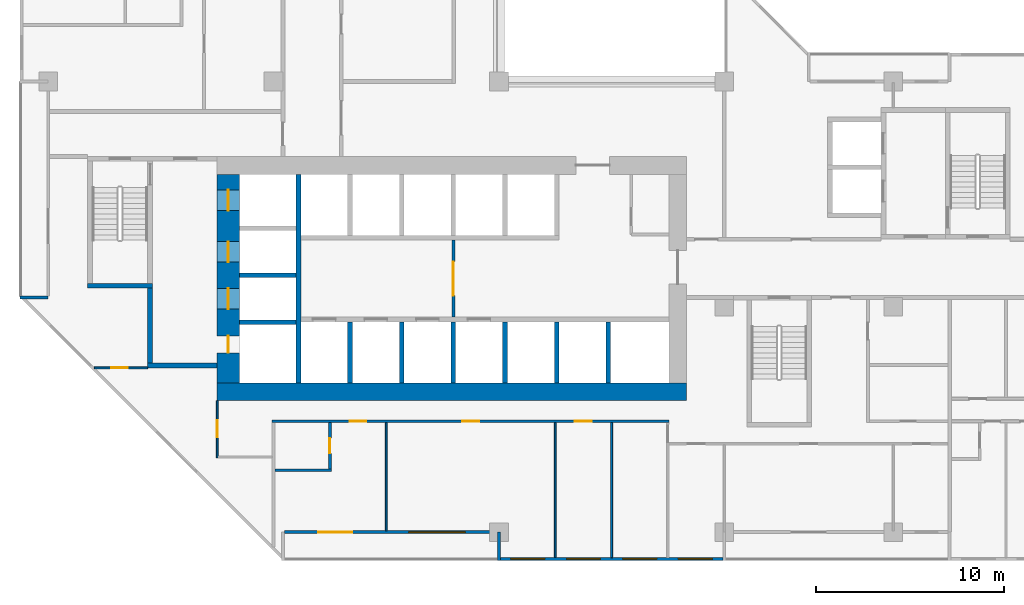
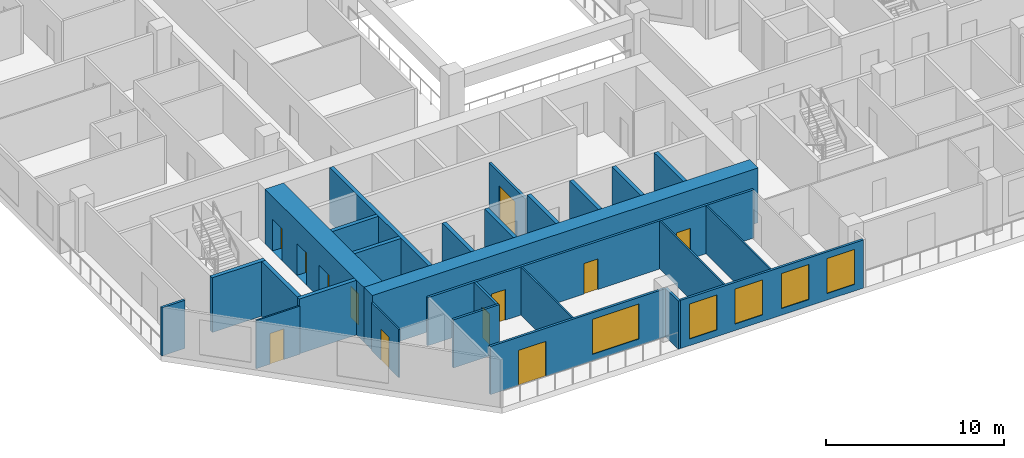
# One storey, part 4 of 15: 27 walls, 12 doors, 5 windows, 17 openings.
"""IFC4 building model written with IfcOpenShell, lengths in metres."""

import ifcopenshell
import ifcopenshell.guid

model = None  # the IFC model being written
_history = None  # IfcOwnerHistory: only IFC2X3 demands one
_inside = {}  # id of a spatial element -> (the spatial element, [elements in it])
_under = {}  # id of a project, library or spatial element -> (it, [spatial elements below it])
_declared = {}  # id of a project -> (the project, [libraries it declares])
_typed = {}  # id of a type object -> (the type object, [elements of that type])
_made_of = {}  # id of a material, layer set ... -> (it, [elements and type objects made of it])


def new_model(schema):
    """Start an empty IFC model of exactly this schema.

    Asked for "IFC4X3", IfcOpenShell would pick the latest addendum, in which some entities
    have other attributes; the version numbers below select the first issue.
    IFC2X3 requires an IfcOwnerHistory on every rooted entity: one is made here for all.
    """
    global model, _history
    if schema == "IFC4X3":
        model = ifcopenshell.file(schema_version=(4, 3, 0, 0))
    else:
        model = ifcopenshell.file(schema=schema)
    _inside.clear()
    _under.clear()
    _declared.clear()
    _typed.clear()
    _made_of.clear()
    _history = None
    if model.schema == "IFC2X3":
        org = make("IfcOrganization", Name="unknown")
        user = make(
            "IfcPersonAndOrganization",
            ThePerson=make("IfcPerson", FamilyName="unknown"),
            TheOrganization=org,
        )
        app = make(
            "IfcApplication",
            ApplicationDeveloper=org,
            Version="unknown",
            ApplicationFullName="unknown",
            ApplicationIdentifier="unknown",
        )
        _history = make(
            "IfcOwnerHistory",
            OwningUser=user,
            OwningApplication=app,
            ChangeAction="ADDED",
            CreationDate=0,
        )
    return model


def make(cls, **values):
    """One entity of the class cls with the attributes given. An attribute that is None is left unset."""
    return model.create_entity(
        cls, **{name: value for name, value in values.items() if value is not None}
    )


def rooted(cls, **values):
    """An entity with a GlobalId (a new one), such as an element, a storey or a relation."""
    return make(cls, GlobalId=ifcopenshell.guid.new(), OwnerHistory=_history, **values)


def si_unit(unit_type, name, prefix=None):
    """IfcSIUnit, for example si_unit("LENGTHUNIT", "METRE", prefix="MILLI")."""
    return make("IfcSIUnit", UnitType=unit_type, Prefix=prefix, Name=name)


def assignment(units):
    """IfcUnitAssignment: the units of a project."""
    return None if units is None else make("IfcUnitAssignment", Units=units)


def point(xyz):
    """IfcCartesianPoint."""
    return None if xyz is None else make("IfcCartesianPoint", Coordinates=xyz)


def direction(xyz):
    """IfcDirection."""
    return None if xyz is None else make("IfcDirection", DirectionRatios=xyz)


def frame(location, z_axis=None, x_axis=None):
    """IfcAxis2Placement3D, a coordinate frame: its origin and axes. An axis left out is left unset."""
    return make(
        "IfcAxis2Placement3D",
        Location=point(location),
        Axis=direction(z_axis),
        RefDirection=direction(x_axis),
    )


def frame_2d(location, x_axis=None):
    """IfcAxis2Placement2D, a coordinate frame in the plane: its origin and x axis."""
    return make(
        "IfcAxis2Placement2D", Location=point(location), RefDirection=direction(x_axis)
    )


def origin():
    """The frame at (0, 0, 0) with its axes left unset."""
    return frame((0.0, 0.0, 0.0))


def place(relative_to, where):
    """IfcLocalPlacement: puts the frame where relative to a parent placement (None: the world)."""
    return make(
        "IfcLocalPlacement", PlacementRelTo=relative_to, RelativePlacement=where
    )


def context(
    kind, dimensions, precision=None, world=None, true_north=None, identifier=None
):
    """IfcGeometricRepresentationContext, for example the 3D "Model" context."""
    return make(
        "IfcGeometricRepresentationContext",
        ContextIdentifier=identifier,
        ContextType=kind,
        CoordinateSpaceDimension=dimensions,
        Precision=precision,
        WorldCoordinateSystem=world,
        TrueNorth=true_north,
    )


def subcontext(parent, identifier, kind, view, scale=None):
    """IfcGeometricRepresentationSubContext, for example "Body" below "Model"."""
    return make(
        "IfcGeometricRepresentationSubContext",
        ContextIdentifier=identifier,
        ContextType=kind,
        ParentContext=parent,
        TargetScale=scale,
        TargetView=view,
    )


def project(units=None, contexts=None):
    """IfcProject with its units and contexts."""
    return rooted(
        "IfcProject",
        Name="project",
        RepresentationContexts=contexts,
        UnitsInContext=assignment(units),
    )


def spatial(cls, under=None, at=None, **own):
    """A site, building, storey or space (cls), placed at a placement, below another one or the project."""
    s = rooted(cls, ObjectPlacement=at, **own)
    if under is not None:
        _under.setdefault(under.id(), (under, []))[1].append(s)
    return s


def profile(cls, at=None, kind="AREA", **sizes):
    """A parametric profile (cls). Its sizes go by their IFC names, for example OverallWidth=200.0."""
    return make(cls, ProfileType=kind, Position=at, **sizes)


def rectangle(**sizes):
    """IfcRectangleProfileDef."""
    return profile("IfcRectangleProfileDef", **sizes)


def extrude(swept, where, along, depth):
    """IfcExtrudedAreaSolid: the profile swept, set in the frame where, extruded along a direction by depth."""
    return make(
        "IfcExtrudedAreaSolid",
        SweptArea=swept,
        Position=where,
        ExtrudedDirection=direction(along),
        Depth=depth,
    )


def shape(context_of_items, identifier, shape_type, items):
    """IfcShapeRepresentation: the items that make up one representation, for example the "Body"."""
    return make(
        "IfcShapeRepresentation",
        ContextOfItems=context_of_items,
        RepresentationIdentifier=identifier,
        RepresentationType=shape_type,
        Items=items,
    )


def material(Name=None, Category=None):
    """IfcMaterial."""
    return make("IfcMaterial", Name=Name, Category=Category)


def layer(
    of_material, thickness, ventilated=None, Name=None, Category=None, Priority=None
):
    """IfcMaterialLayer: one layer of a wall or slab, of a material (None: an air gap)."""
    return make(
        "IfcMaterialLayer",
        Material=of_material,
        LayerThickness=thickness,
        IsVentilated=ventilated,
        Name=Name,
        Category=Category,
        Priority=Priority,
    )


def layer_set(layers, Name=None):
    """IfcMaterialLayerSet."""
    return make("IfcMaterialLayerSet", MaterialLayers=layers, LayerSetName=Name)


def made_of(thing, what):
    """Note that an element or type object is made of a material, layer set ...; save() writes the relation."""
    if what is not None:
        _made_of.setdefault(what.id(), (what, []))[1].append(thing)
    return thing


def type_object(cls, material=None, **own):
    """A type object (cls), such as IfcWallType, which elements share."""
    return made_of(rooted(cls, **own), material)


def element(
    cls,
    number,
    at=None,
    inside=None,
    cuts=None,
    type_object=None,
    material=None,
    context=None,
    identifier="Body",
    shape_type=None,
    held_by="IfcProductDefinitionShape",
    body=None,
    shapes=None,
    **own,
):
    """One element of the class cls, such as IfcWall. Its Tag is "e" and its number.

    at: its placement. inside: the storey or other place that contains it. cuts: it is an
    opening in that element (IfcRelVoidsElement). A single representation is given by context,
    identifier, shape_type and body (its items); several are given by shapes. held_by: the class
    of the entity that holds the representations. save() writes the other relations.
    """
    e = rooted(cls, Tag="e%d" % number, ObjectPlacement=at, **own)
    if body is not None:
        shapes = [shape(context, identifier, shape_type, body)]
    if shapes is not None:
        e.Representation = make(held_by, Representations=shapes)
    if inside is not None:
        _inside.setdefault(inside.id(), (inside, []))[1].append(e)
    if cuts is not None:
        rooted(
            "IfcRelVoidsElement", RelatingBuildingElement=cuts, RelatedOpeningElement=e
        )
    if type_object is not None:
        _typed.setdefault(type_object.id(), (type_object, []))[1].append(e)
    return made_of(e, material)


def fill(opening, filler):
    """IfcRelFillsElement: the door or window that sits in an opening."""
    return rooted(
        "IfcRelFillsElement",
        RelatingOpeningElement=opening,
        RelatedBuildingElement=filler,
    )


def aggregate(whole, parts):
    """IfcRelAggregates: a whole, such as a stair, and the parts it consists of."""
    return rooted("IfcRelAggregates", RelatingObject=whole, RelatedObjects=parts)


def save(model, path):
    """Write the relations noted so far, then the file.

    IfcRelAggregates (storeys below a building ...), IfcRelContainedInSpatialStructure (elements
    in a storey), IfcRelDefinesByType, IfcRelAssociatesMaterial and IfcRelDeclares: one each for
    every whole, place, type object, material and project.
    """
    for whole, parts in _under.values():
        aggregate(whole, parts)
    for where, things in _inside.values():
        rooted(
            "IfcRelContainedInSpatialStructure",
            RelatedElements=things,
            RelatingStructure=where,
        )
    for kind, things in _typed.values():
        rooted("IfcRelDefinesByType", RelatedObjects=things, RelatingType=kind)
    for what, things in _made_of.values():
        rooted("IfcRelAssociatesMaterial", RelatedObjects=things, RelatingMaterial=what)
    for by, libraries in _declared.values():
        rooted("IfcRelDeclares", RelatingContext=by, RelatedDefinitions=libraries)
    model.write(path)


model = new_model("IFC4")

# Units and contexts
model_context = context("Model", 3, precision=1e-05, world=origin(), true_north=direction((0.0, 1.0)))
body_context = subcontext(model_context, "Body", "Model", "MODEL_VIEW")
ifc_project = project(units=[si_unit("LENGTHUNIT", "METRE"), si_unit("AREAUNIT", "SQUARE_METRE"), si_unit("VOLUMEUNIT", "CUBIC_METRE"), si_unit("PLANEANGLEUNIT", "RADIAN"), si_unit("MASSUNIT", "GRAM", prefix="KILO")], contexts=[model_context])

# Site, building, storey
site_placement = place(None, origin())
site = spatial("IfcSite", under=ifc_project, at=site_placement, CompositionType="ELEMENT")
building_placement = place(site_placement, origin())
building = spatial("IfcBuilding", under=site, at=building_placement, Name="Chenar Terraces", CompositionType="ELEMENT")
storey_placement = place(building_placement, frame((0.0, 0.0, 136.89990234375)))
storey = spatial("IfcBuildingStorey", under=building, at=storey_placement, Name="L32", CompositionType="ELEMENT", Elevation=136.89990234375)

# Wall, opening, door
ifc_material_1 = material(Name="Gypsum board on steel studs", Category="steel")
ifc_layer_1 = layer(ifc_material_1, 0.14990234375)
ifc_layer_set_1 = layer_set([ifc_layer_1], Name="Gypsum board on steel studs")
wall_type_1 = type_object("IfcWallType", Name="Core partition 150 gypsum board", PredefinedType="PARTITIONING", material=ifc_layer_set_1)
wall_1_placement = place(storey_placement, frame((21.574951171875, 11.449951171875, 0.0), z_axis=(0.0, 0.0, 1.0), x_axis=(0.0, 1.0, 0.0)))
wall_1 = element("IfcWall", 1, at=wall_1_placement, inside=storey, type_object=wall_type_1, Name="Core partition CP1 lift lobby smoke stop", PredefinedType="PARTITIONING", context=body_context, shape_type="SweptSolid", body=[
    extrude(rectangle(XDim=4.10009765625, YDim=0.14990234375, at=frame_2d((2.050048828125, 0.0))), origin(), (0.0, 0.0, 1.0), 3.300048828125),
])
opening_1_placement = place(wall_1_placement, frame((1.14990234375, 0.0, 0.0)))
opening_1 = element("IfcOpeningElement", 2, at=opening_1_placement, cuts=wall_1, Name="Opening DL32-C12", PredefinedType="OPENING", context=body_context, shape_type="SweptSolid", body=[
    extrude(rectangle(XDim=1.800048828125, YDim=2.39990234375, at=frame_2d((0.89990234375, 1.199951171875))), frame((0.0, 0.0849609375, 0.0), z_axis=(0.0, -1.0, 0.0), x_axis=(1.0, 0.0, 0.0)), (0.0, 0.0, 1.0), 0.169921875),
])
ifc_material_2 = material(Name="Steel-framed fire-resisting door leaf", Category="steel")
door_type_1 = type_object("IfcDoorType", Name="Core entrance double fire door FD60 1800 x 2400", OperationType="DOUBLE_DOOR_SINGLE_SWING", PredefinedType="DOOR", material=ifc_material_2)
door_1_placement = place(opening_1_placement, frame((1.800048828125, 0.0, 0.0), z_axis=(0.0, 0.0, 1.0), x_axis=(-1.0, 0.0, 0.0)))
door_1 = element("IfcDoor", 3, at=door_1_placement, inside=storey, type_object=door_type_1, Name="Core door DL32-C12", OperationType="DOUBLE_DOOR_SINGLE_SWING", OverallHeight=2.39990234375, OverallWidth=1.800048828125, PredefinedType="DOOR", context=body_context, shape_type="SweptSolid", body=[
    extrude(rectangle(XDim=1.800048828125, YDim=2.39990234375, at=frame_2d((0.89990234375, 1.199951171875))), frame((0.0, 0.02490234375, 0.0), z_axis=(0.0, -1.0, 0.0), x_axis=(1.0, 0.0, 0.0)), (0.0, 0.0, 1.0), 0.050048828125),
])
fill(opening_1, door_1)

# Wall, openings, doors
ifc_material_3 = material(Name="Concrete C70/85", Category="concrete")
ifc_layer_2 = layer(ifc_material_3, 1.199951171875)
ifc_layer_set_2 = layer_set([ifc_layer_2], Name="Concrete C70/85")
wall_type_2 = type_object("IfcWallType", Name="Core wall 1200 Concrete C70/85", PredefinedType="SHEAR", material=ifc_layer_set_2)
wall_2_placement = place(storey_placement, frame((9.60009765625, 7.949951171875, 0.0), z_axis=(0.0, 0.0, 1.0), x_axis=(0.0, 1.0, 0.0)))
wall_2 = element("IfcWall", 4, at=wall_2_placement, inside=storey, type_object=wall_type_2, Name="Core wall W L32", PredefinedType="SHEAR", context=body_context, shape_type="SweptSolid", body=[
    extrude(rectangle(XDim=11.10009765625, YDim=1.199951171875, at=frame_2d((5.550048828125, 0.0))), origin(), (0.0, 0.0, 1.0), 3.75),
])
opening_2_placement = place(wall_2_placement, frame((3.925048828125, 0.0, 0.0)))
opening_2 = element("IfcOpeningElement", 5, at=opening_2_placement, cuts=wall_2, Name="Opening DL32-LD5", PredefinedType="OPENING", context=body_context, shape_type="SweptSolid", body=[
    extrude(rectangle(XDim=1.10009765625, YDim=2.199951171875, at=frame_2d((0.550048828125, 1.10009765625))), frame((0.0, 0.60986328125, 0.0), z_axis=(0.0, -1.0, 0.0), x_axis=(1.0, 0.0, 0.0)), (0.0, 0.0, 1.0), 1.219970703125),
])
opening_3_placement = place(wall_2_placement, frame((6.425048828125, 0.0, 0.0)))
opening_3 = element("IfcOpeningElement", 6, at=opening_3_placement, cuts=wall_2, Name="Opening DL32-LD6", PredefinedType="OPENING", context=body_context, shape_type="SweptSolid", body=[
    extrude(rectangle(XDim=1.10009765625, YDim=2.199951171875, at=frame_2d((0.550048828125, 1.10009765625))), frame((0.0, 0.60986328125, 0.0), z_axis=(0.0, -1.0, 0.0), x_axis=(1.0, 0.0, 0.0)), (0.0, 0.0, 1.0), 1.219970703125),
])
opening_4_placement = place(wall_2_placement, frame((9.175048828125, 0.0, 0.0)))
opening_4 = element("IfcOpeningElement", 7, at=opening_4_placement, cuts=wall_2, Name="Opening DL32-LD7", PredefinedType="OPENING", context=body_context, shape_type="SweptSolid", body=[
    extrude(rectangle(XDim=1.10009765625, YDim=2.199951171875, at=frame_2d((0.550048828125, 1.10009765625))), frame((0.0, 0.60986328125, 0.0), z_axis=(0.0, -1.0, 0.0), x_axis=(1.0, 0.0, 0.0)), (0.0, 0.0, 1.0), 1.219970703125),
])
opening_5_placement = place(wall_2_placement, frame((1.60009765625, 0.0, 0.0)))
opening_5 = element("IfcOpeningElement", 8, at=opening_5_placement, cuts=wall_2, Name="Opening DL32-C4", PredefinedType="OPENING", context=body_context, shape_type="SweptSolid", body=[
    extrude(rectangle(XDim=0.89990234375, YDim=2.10009765625, at=frame_2d((0.449951171875, 1.050048828125))), frame((0.0, 0.60986328125, 0.0), z_axis=(0.0, -1.0, 0.0), x_axis=(1.0, 0.0, 0.0)), (0.0, 0.0, 1.0), 1.219970703125),
])
ifc_material_4 = material(Name="Stainless steel", Category="steel")
door_type_2 = type_object("IfcDoorType", Name="Lift landing door 1100 x 2200 sliding", OperationType="DOUBLE_DOOR_SLIDING", PredefinedType="DOOR", material=ifc_material_4)
door_2_placement = place(opening_2_placement, origin())
door_2 = element("IfcDoor", 9, at=door_2_placement, inside=storey, type_object=door_type_2, Name="Landing door S1", OperationType="DOUBLE_DOOR_SLIDING", OverallHeight=2.199951171875, OverallWidth=1.10009765625, PredefinedType="DOOR", context=body_context, shape_type="SweptSolid", body=[
    extrude(rectangle(XDim=1.10009765625, YDim=2.199951171875, at=frame_2d((0.550048828125, 1.10009765625))), frame((0.0, 0.02490234375, 0.0), z_axis=(0.0, -1.0, 0.0), x_axis=(1.0, 0.0, 0.0)), (0.0, 0.0, 1.0), 0.050048828125),
])
fill(opening_2, door_2)
door_3_placement = place(opening_3_placement, origin())
door_3 = element("IfcDoor", 10, at=door_3_placement, inside=storey, type_object=door_type_2, Name="Landing door F1", OperationType="DOUBLE_DOOR_SLIDING", OverallHeight=2.199951171875, OverallWidth=1.10009765625, PredefinedType="DOOR", context=body_context, shape_type="SweptSolid", body=[
    extrude(rectangle(XDim=1.10009765625, YDim=2.199951171875, at=frame_2d((0.550048828125, 1.10009765625))), frame((0.0, 0.02490234375, 0.0), z_axis=(0.0, -1.0, 0.0), x_axis=(1.0, 0.0, 0.0)), (0.0, 0.0, 1.0), 0.050048828125),
])
fill(opening_3, door_3)
door_4_placement = place(opening_4_placement, origin())
door_4 = element("IfcDoor", 11, at=door_4_placement, inside=storey, type_object=door_type_2, Name="Landing door F2", OperationType="DOUBLE_DOOR_SLIDING", OverallHeight=2.199951171875, OverallWidth=1.10009765625, PredefinedType="DOOR", context=body_context, shape_type="SweptSolid", body=[
    extrude(rectangle(XDim=1.10009765625, YDim=2.199951171875, at=frame_2d((0.550048828125, 1.10009765625))), frame((0.0, 0.02490234375, 0.0), z_axis=(0.0, -1.0, 0.0), x_axis=(1.0, 0.0, 0.0)), (0.0, 0.0, 1.0), 0.050048828125),
])
fill(opening_4, door_4)
ifc_material_5 = material(Name="Steel-framed fire-resisting door leaf", Category="steel")
door_type_3 = type_object("IfcDoorType", Name="Riser fire door FD60 900 x 2100", OperationType="SINGLE_SWING_LEFT", PredefinedType="DOOR", material=ifc_material_5)
door_5_placement = place(opening_5_placement, frame((0.89990234375, 0.0, 0.0), z_axis=(0.0, 0.0, 1.0), x_axis=(-1.0, 0.0, 0.0)))
door_5 = element("IfcDoor", 12, at=door_5_placement, inside=storey, type_object=door_type_3, Name="Riser door DL32-C4", OperationType="SINGLE_SWING_LEFT", OverallHeight=2.10009765625, OverallWidth=0.89990234375, PredefinedType="DOOR", context=body_context, shape_type="SweptSolid", body=[
    extrude(rectangle(XDim=0.89990234375, YDim=2.10009765625, at=frame_2d((0.449951171875, 1.050048828125))), frame((0.0, 0.02490234375, 0.0), z_axis=(0.0, -1.0, 0.0), x_axis=(1.0, 0.0, 0.0)), (0.0, 0.0, 1.0), 0.050048828125),
])
fill(opening_5, door_5)

# Walls
ifc_material_6 = material(Name="Concrete C70/85", Category="concrete")
ifc_layer_3 = layer(ifc_material_6, 0.25)
ifc_layer_set_3 = layer_set([ifc_layer_3], Name="Concrete C70/85")
wall_type_3 = type_object("IfcWallType", Name="Core wall 250 Concrete C70/85", PredefinedType="SHEAR", material=ifc_layer_set_3)
wall_3_placement = place(storey_placement, frame((13.324951171875, 7.949951171875, 0.0), z_axis=(0.0, 0.0, 1.0), x_axis=(0.0, 1.0, 0.0)))
element("IfcWall", 13, at=wall_3_placement, inside=storey, type_object=wall_type_3, Name="Core wall WI L32", PredefinedType="SHEAR", context=body_context, shape_type="SweptSolid", body=[
    extrude(rectangle(XDim=11.10009765625, YDim=0.25, at=frame_2d((5.550048828125, 0.0))), origin(), (0.0, 0.0, 1.0), 3.75),
])
for number, where, z_axis, x_axis, name in (
    (14, (10.199951171875, 11.175048828125, 0.0), (0.0, 0.0, 1.0), (1.0, 0.0, 0.0), "Core wall HW0 L32"),
    (15, (10.199951171875, 13.675048828125, 0.0), (0.0, 0.0, 1.0), (1.0, 0.0, 0.0), "Core wall HW1 L32"),
):
    element("IfcWall", number, at=place(storey_placement, frame(where, z_axis=z_axis, x_axis=x_axis)), inside=storey, type_object=wall_type_3, Name=name, PredefinedType="SHEAR", context=body_context, shape_type="SweptSolid", body=[
        extrude(rectangle(XDim=3.0, YDim=0.25, at=frame_2d((1.5, 0.0))), origin(), (0.0, 0.0, 1.0), 3.75),
    ])
for number, where, z_axis, x_axis, name in (
    (16, (16.074951171875, 7.949951171875, 0.0), (0.0, 0.0, 1.0), (0.0, 1.0, 0.0), "Core wall SS0 L32"),
    (17, (18.824951171875, 7.949951171875, 0.0), (0.0, 0.0, 1.0), (0.0, 1.0, 0.0), "Core wall SS1 L32"),
    (18, (21.574951171875, 7.949951171875, 0.0), (0.0, 0.0, 1.0), (0.0, 1.0, 0.0), "Core wall SS2 L32"),
    (19, (24.324951171875, 7.949951171875, 0.0), (0.0, 0.0, 1.0), (0.0, 1.0, 0.0), "Core wall SS3 L32"),
    (20, (27.074951171875, 7.949951171875, 0.0), (0.0, 0.0, 1.0), (0.0, 1.0, 0.0), "Core wall SS4 L32"),
    (21, (29.824951171875, 7.949951171875, 0.0), (0.0, 0.0, 1.0), (0.0, 1.0, 0.0), "Core wall SS5 L32"),
):
    element("IfcWall", number, at=place(storey_placement, frame(where, z_axis=z_axis, x_axis=x_axis)), inside=storey, type_object=wall_type_3, Name=name, PredefinedType="SHEAR", context=body_context, shape_type="SweptSolid", body=[
        extrude(rectangle(XDim=3.25, YDim=0.25, at=frame_2d((1.625, 0.0))), origin(), (0.0, 0.0, 1.0), 3.75),
    ])
wall_4_placement = place(storey_placement, frame((2.10009765625, 13.125, 0.0), z_axis=(0.0, 0.0, 1.0), x_axis=(1.0, 0.0, 0.0)))
element("IfcWall", 22, at=wall_4_placement, inside=storey, type_object=wall_type_3, Name="Core wall ST1_S L32", PredefinedType="SHEAR", context=body_context, shape_type="SweptSolid", body=[
    extrude(rectangle(XDim=3.449951171875, YDim=0.25, at=frame_2d((1.72509765625, 0.0))), origin(), (0.0, 0.0, 1.0), 3.75),
])
wall_5_placement = place(storey_placement, frame((5.300048828125, 8.875, 0.0), z_axis=(0.0, 0.0, 1.0), x_axis=(1.0, 0.0, 0.0)))
element("IfcWall", 23, at=wall_5_placement, inside=storey, type_object=wall_type_3, Name="Core wall FFL_S L32", PredefinedType="SHEAR", context=body_context, shape_type="SweptSolid", body=[
    extrude(rectangle(XDim=3.699951171875, YDim=0.25, at=frame_2d((1.85009765625, 0.0))), origin(), (0.0, 0.0, 1.0), 3.75),
])
wall_6_placement = place(storey_placement, frame((5.425048828125, 9.0, 0.0), z_axis=(0.0, 0.0, 1.0), x_axis=(0.0, 1.0, 0.0)))
element("IfcWall", 24, at=wall_6_placement, inside=storey, type_object=wall_type_3, Name="Core wall FFL_W L32", PredefinedType="SHEAR", context=body_context, shape_type="SweptSolid", body=[
    extrude(rectangle(XDim=4.0, YDim=0.25, at=frame_2d((2.0, 0.0))), origin(), (0.0, 0.0, 1.0), 3.75),
])
ifc_material_7 = material(Name="Concrete C70/85", Category="concrete")
ifc_layer_4 = layer(ifc_material_7, 0.949951171875)
ifc_layer_set_4 = layer_set([ifc_layer_4], Name="Concrete C70/85")
wall_type_4 = type_object("IfcWallType", Name="Core wall 950 Concrete C70/85", PredefinedType="SHEAR", material=ifc_layer_set_4)
wall_7_placement = place(storey_placement, frame((9.0, 7.47509765625, 0.0), z_axis=(0.0, 0.0, 1.0), x_axis=(1.0, 0.0, 0.0)))
element("IfcWall", 25, at=wall_7_placement, inside=storey, type_object=wall_type_4, Name="Core wall S L32", PredefinedType="SHEAR", context=body_context, shape_type="SweptSolid", body=[
    extrude(rectangle(XDim=25.0, YDim=0.949951171875, at=frame_2d((12.5, 0.0))), origin(), (0.0, 0.0, 1.0), 3.75),
])

# Wall, openings, windows
ifc_material_8 = material(Name="Aluminium framed glazing", Category="aluminium")
ifc_layer_5 = layer(ifc_material_8, 0.14990234375)
ifc_layer_set_5 = layer_set([ifc_layer_5], Name="Aluminium framed glazing")
wall_type_5 = type_object("IfcWallType", Name="Glazed flush facade wall 150", PredefinedType="SOLIDWALL", material=ifc_layer_set_5)
wall_8_placement = place(storey_placement, frame((24.074951171875, -1.425048828125, 0.0), z_axis=(0.0, 0.0, 1.0), x_axis=(1.0, 0.0, 0.0)))
wall_8 = element("IfcWall", 26, at=wall_8_placement, inside=storey, type_object=wall_type_5, Name="Glazed flush facade wall", PredefinedType="SOLIDWALL", context=body_context, shape_type="SweptSolid", body=[
    extrude(rectangle(XDim=11.85009765625, YDim=0.14990234375, at=frame_2d((5.925048828125, 0.0))), origin(), (0.0, 0.0, 1.0), 3.300048828125),
])
opening_6_placement = place(wall_8_placement, frame((0.5625, 0.0, 0.449951171875)))
opening_6 = element("IfcOpeningElement", 27, at=opening_6_placement, cuts=wall_8, Name="Opening W180x240", PredefinedType="OPENING", context=body_context, shape_type="SweptSolid", body=[
    extrude(rectangle(XDim=1.800048828125, YDim=2.39990234375, at=frame_2d((0.89990234375, 1.199951171875))), frame((0.0, 0.0849609375, 0.0), z_axis=(0.0, -1.0, 0.0), x_axis=(1.0, 0.0, 0.0)), (0.0, 0.0, 1.0), 0.169921875),
])
opening_7_placement = place(wall_8_placement, frame((3.52490234375, 0.0, 0.449951171875)))
opening_7 = element("IfcOpeningElement", 28, at=opening_7_placement, cuts=wall_8, Name="Opening W180x240", PredefinedType="OPENING", context=body_context, shape_type="SweptSolid", body=[
    extrude(rectangle(XDim=1.800048828125, YDim=2.39990234375, at=frame_2d((0.89990234375, 1.199951171875))), frame((0.0, 0.0849609375, 0.0), z_axis=(0.0, -1.0, 0.0), x_axis=(1.0, 0.0, 0.0)), (0.0, 0.0, 1.0), 0.169921875),
])
opening_8_placement = place(wall_8_placement, frame((6.52490234375, 0.0, 0.449951171875)))
opening_8 = element("IfcOpeningElement", 29, at=opening_8_placement, cuts=wall_8, Name="Opening W180x240", PredefinedType="OPENING", context=body_context, shape_type="SweptSolid", body=[
    extrude(rectangle(XDim=1.800048828125, YDim=2.39990234375, at=frame_2d((0.89990234375, 1.199951171875))), frame((0.0, 0.0849609375, 0.0), z_axis=(0.0, -1.0, 0.0), x_axis=(1.0, 0.0, 0.0)), (0.0, 0.0, 1.0), 0.169921875),
])
opening_9_placement = place(wall_8_placement, frame((9.487548828125, 0.0, 0.449951171875)))
opening_9 = element("IfcOpeningElement", 30, at=opening_9_placement, cuts=wall_8, Name="Opening W180x240", PredefinedType="OPENING", context=body_context, shape_type="SweptSolid", body=[
    extrude(rectangle(XDim=1.800048828125, YDim=2.39990234375, at=frame_2d((0.89990234375, 1.199951171875))), frame((0.0, 0.0849609375, 0.0), z_axis=(0.0, -1.0, 0.0), x_axis=(1.0, 0.0, 0.0)), (0.0, 0.0, 1.0), 0.169921875),
])
ifc_material_9 = material(Name="Low emissivity double glazing, aluminium frame", Category="aluminium")
window_type_1 = type_object("IfcWindowType", Name="Fixed light 1800 x 2400", PartitioningType="SINGLE_PANEL", PredefinedType="WINDOW", material=ifc_material_9)
window_1_placement = place(opening_6_placement, origin())
window_1 = element("IfcWindow", 31, at=window_1_placement, inside=storey, type_object=window_type_1, Name="Window", OverallHeight=2.39990234375, OverallWidth=1.800048828125, PartitioningType="SINGLE_PANEL", PredefinedType="WINDOW", context=body_context, shape_type="SweptSolid", body=[
    extrude(rectangle(XDim=1.800048828125, YDim=2.39990234375, at=frame_2d((0.89990234375, 1.199951171875))), frame((0.0, 0.030029296875, 0.0), z_axis=(0.0, -1.0, 0.0), x_axis=(1.0, 0.0, 0.0)), (0.0, 0.0, 1.0), 0.06005859375),
])
fill(opening_6, window_1)
window_2_placement = place(opening_7_placement, origin())
window_2 = element("IfcWindow", 32, at=window_2_placement, inside=storey, type_object=window_type_1, Name="Window", OverallHeight=2.39990234375, OverallWidth=1.800048828125, PartitioningType="SINGLE_PANEL", PredefinedType="WINDOW", context=body_context, shape_type="SweptSolid", body=[
    extrude(rectangle(XDim=1.800048828125, YDim=2.39990234375, at=frame_2d((0.89990234375, 1.199951171875))), frame((0.0, 0.030029296875, 0.0), z_axis=(0.0, -1.0, 0.0), x_axis=(1.0, 0.0, 0.0)), (0.0, 0.0, 1.0), 0.06005859375),
])
fill(opening_7, window_2)
window_3_placement = place(opening_8_placement, origin())
window_3 = element("IfcWindow", 33, at=window_3_placement, inside=storey, type_object=window_type_1, Name="Window", OverallHeight=2.39990234375, OverallWidth=1.800048828125, PartitioningType="SINGLE_PANEL", PredefinedType="WINDOW", context=body_context, shape_type="SweptSolid", body=[
    extrude(rectangle(XDim=1.800048828125, YDim=2.39990234375, at=frame_2d((0.89990234375, 1.199951171875))), frame((0.0, 0.030029296875, 0.0), z_axis=(0.0, -1.0, 0.0), x_axis=(1.0, 0.0, 0.0)), (0.0, 0.0, 1.0), 0.06005859375),
])
fill(opening_8, window_3)
window_4_placement = place(opening_9_placement, origin())
window_4 = element("IfcWindow", 34, at=window_4_placement, inside=storey, type_object=window_type_1, Name="Window", OverallHeight=2.39990234375, OverallWidth=1.800048828125, PartitioningType="SINGLE_PANEL", PredefinedType="WINDOW", context=body_context, shape_type="SweptSolid", body=[
    extrude(rectangle(XDim=1.800048828125, YDim=2.39990234375, at=frame_2d((0.89990234375, 1.199951171875))), frame((0.0, 0.030029296875, 0.0), z_axis=(0.0, -1.0, 0.0), x_axis=(1.0, 0.0, 0.0)), (0.0, 0.0, 1.0), 0.06005859375),
])
fill(opening_9, window_4)

# Wall, openings, window, door
ifc_material_10 = material(Name="Aluminium framed glazing", Category="aluminium")
ifc_layer_6 = layer(ifc_material_10, 0.14990234375)
ifc_layer_set_6 = layer_set([ifc_layer_6], Name="Aluminium framed glazing")
wall_type_6 = type_object("IfcWallType", Name="Glazed loggia back wall 150", PredefinedType="SOLIDWALL", material=ifc_layer_set_6)
wall_9_placement = place(storey_placement, frame((12.574951171875, 0.0, 0.0), z_axis=(0.0, 0.0, 1.0), x_axis=(1.0, 0.0, 0.0)))
wall_9 = element("IfcWall", 35, at=wall_9_placement, inside=storey, type_object=wall_type_6, Name="Glazed loggia back wall", PredefinedType="SOLIDWALL", context=body_context, shape_type="SweptSolid", body=[
    extrude(rectangle(XDim=11.35009765625, YDim=0.14990234375, at=frame_2d((5.675048828125, 0.0))), origin(), (0.0, 0.0, 1.0), 3.300048828125),
])
opening_10_placement = place(wall_9_placement, frame((1.8125, 0.0, 0.0)))
opening_10 = element("IfcOpeningElement", 36, at=opening_10_placement, cuts=wall_9, Name="Opening DL32-G5", PredefinedType="OPENING", context=body_context, shape_type="SweptSolid", body=[
    extrude(rectangle(XDim=1.800048828125, YDim=2.39990234375, at=frame_2d((0.89990234375, 1.199951171875))), frame((0.0, 0.0849609375, 0.0), z_axis=(0.0, -1.0, 0.0), x_axis=(1.0, 0.0, 0.0)), (0.0, 0.0, 1.0), 0.169921875),
])
opening_11_placement = place(wall_9_placement, frame((6.625, 0.0, 0.449951171875)))
opening_11 = element("IfcOpeningElement", 37, at=opening_11_placement, cuts=wall_9, Name="Opening W300x240", PredefinedType="OPENING", context=body_context, shape_type="SweptSolid", body=[
    extrude(rectangle(XDim=3.0, YDim=2.39990234375, at=frame_2d((1.5, 1.199951171875))), frame((0.0, 0.0849609375, 0.0), z_axis=(0.0, -1.0, 0.0), x_axis=(1.0, 0.0, 0.0)), (0.0, 0.0, 1.0), 0.169921875),
])
ifc_material_11 = material(Name="Low emissivity double glazing, aluminium frame", Category="aluminium")
window_type_2 = type_object("IfcWindowType", Name="Fixed light 3000 x 2400", PartitioningType="SINGLE_PANEL", PredefinedType="WINDOW", material=ifc_material_11)
window_5_placement = place(opening_11_placement, origin())
window_5 = element("IfcWindow", 38, at=window_5_placement, inside=storey, type_object=window_type_2, Name="Window", OverallHeight=2.39990234375, OverallWidth=3.0, PartitioningType="SINGLE_PANEL", PredefinedType="WINDOW", context=body_context, shape_type="SweptSolid", body=[
    extrude(rectangle(XDim=3.0, YDim=2.39990234375, at=frame_2d((1.5, 1.199951171875))), frame((0.0, 0.030029296875, 0.0), z_axis=(0.0, -1.0, 0.0), x_axis=(1.0, 0.0, 0.0)), (0.0, 0.0, 1.0), 0.06005859375),
])
fill(opening_11, window_5)
ifc_material_12 = material(Name="Low emissivity double glazing, aluminium frame", Category="aluminium")
door_type_4 = type_object("IfcDoorType", Name="Loggia glazed double door 1800 x 2400", OperationType="DOUBLE_DOOR_SINGLE_SWING", PredefinedType="DOOR", material=ifc_material_12)
door_6_placement = place(opening_10_placement, frame((1.800048828125, 0.0, 0.0), z_axis=(0.0, 0.0, 1.0), x_axis=(-1.0, 0.0, 0.0)))
door_6 = element("IfcDoor", 39, at=door_6_placement, inside=storey, type_object=door_type_4, Name="Loggia glazed door", OperationType="DOUBLE_DOOR_SINGLE_SWING", OverallHeight=2.39990234375, OverallWidth=1.800048828125, PredefinedType="DOOR", context=body_context, shape_type="SweptSolid", body=[
    extrude(rectangle(XDim=1.800048828125, YDim=2.39990234375, at=frame_2d((0.89990234375, 1.199951171875))), frame((0.0, 0.02490234375, 0.0), z_axis=(0.0, -1.0, 0.0), x_axis=(1.0, 0.0, 0.0)), (0.0, 0.0, 1.0), 0.050048828125),
])
fill(opening_10, door_6)

# Wall, opening, door
ifc_material_13 = material(Name="Gypsum board on steel studs", Category="steel")
ifc_layer_7 = layer(ifc_material_13, 0.10009765625)
ifc_layer_set_7 = layer_set([ifc_layer_7], Name="Gypsum board on steel studs")
wall_type_7 = type_object("IfcWallType", Name="Gypsum partition 100", PredefinedType="PARTITIONING", material=ifc_layer_set_7)
wall_10_placement = place(storey_placement, frame((2.4609375, 8.75, 0.0), z_axis=(0.0, 0.0, 1.0), x_axis=(1.0, 0.0, 0.0)))
wall_10 = element("IfcWall", 40, at=wall_10_placement, inside=storey, type_object=wall_type_7, Name="Partition L32-010", PredefinedType="PARTITIONING", context=body_context, shape_type="SweptSolid", body=[
    extrude(rectangle(XDim=2.839111328125, YDim=0.10009765625, at=frame_2d((1.41943359375, 0.0))), origin(), (0.0, 0.0, 1.0), 3.300048828125),
])
opening_12_placement = place(wall_10_placement, frame((0.888916015625, 0.0, 0.0)))
opening_12 = element("IfcOpeningElement", 41, at=opening_12_placement, cuts=wall_10, Name="Opening DL32-61", PredefinedType="OPENING", context=body_context, shape_type="SweptSolid", body=[
    extrude(rectangle(XDim=0.89990234375, YDim=2.10009765625, at=frame_2d((0.449951171875, 1.050048828125))), frame((0.0, 0.06005859375, 0.0), z_axis=(0.0, -1.0, 0.0), x_axis=(1.0, 0.0, 0.0)), (0.0, 0.0, 1.0), 0.1201171875),
])
ifc_material_14 = material(Name="Veneered timber door leaf", Category="wood")
door_type_5 = type_object("IfcDoorType", Name="Door 900 x 2100", OperationType="SINGLE_SWING_LEFT", PredefinedType="DOOR", material=ifc_material_14)
door_7_placement = place(opening_12_placement, frame((0.89990234375, 0.0, 0.0), z_axis=(0.0, 0.0, 1.0), x_axis=(-1.0, 0.0, 0.0)))
door_7 = element("IfcDoor", 42, at=door_7_placement, inside=storey, type_object=door_type_5, Name="Door DL32-61", OperationType="SINGLE_SWING_RIGHT", OverallHeight=2.10009765625, OverallWidth=0.89990234375, PredefinedType="DOOR", context=body_context, shape_type="SweptSolid", body=[
    extrude(rectangle(XDim=0.89990234375, YDim=2.10009765625, at=frame_2d((0.449951171875, 1.050048828125))), frame((0.0, 0.02490234375, 0.0), z_axis=(0.0, -1.0, 0.0), x_axis=(1.0, 0.0, 0.0)), (0.0, 0.0, 1.0), 0.050048828125),
])
fill(opening_12, door_7)

wall_11_placement = place(storey_placement, frame((9.0, 3.949951171875, 0.0), z_axis=(0.0, 0.0, 1.0), x_axis=(0.0, 1.0, 0.0)))
wall_11 = element("IfcWall", 43, at=wall_11_placement, inside=storey, type_object=wall_type_7, Name="Partition L32-030", PredefinedType="PARTITIONING", context=body_context, shape_type="SweptSolid", body=[
    extrude(rectangle(XDim=3.050048828125, YDim=0.10009765625, at=frame_2d((1.52490234375, 0.0))), origin(), (0.0, 0.0, 1.0), 3.300048828125),
])
opening_13_placement = place(wall_11_placement, frame((1.10009765625, 0.0, 0.0)))
opening_13 = element("IfcOpeningElement", 44, at=opening_13_placement, cuts=wall_11, Name="Opening DL32-60", PredefinedType="OPENING", context=body_context, shape_type="SweptSolid", body=[
    extrude(rectangle(XDim=0.89990234375, YDim=2.10009765625, at=frame_2d((0.449951171875, 1.050048828125))), frame((0.0, 0.06005859375, 0.0), z_axis=(0.0, -1.0, 0.0), x_axis=(1.0, 0.0, 0.0)), (0.0, 0.0, 1.0), 0.1201171875),
])
door_8_placement = place(opening_13_placement, origin())
door_8 = element("IfcDoor", 45, at=door_8_placement, inside=storey, type_object=door_type_5, Name="Door DL32-60", OperationType="SINGLE_SWING_LEFT", OverallHeight=2.10009765625, OverallWidth=0.89990234375, PredefinedType="DOOR", context=body_context, shape_type="SweptSolid", body=[
    extrude(rectangle(XDim=0.89990234375, YDim=2.10009765625, at=frame_2d((0.449951171875, 1.050048828125))), frame((0.0, 0.02490234375, 0.0), z_axis=(0.0, -1.0, 0.0), x_axis=(1.0, 0.0, 0.0)), (0.0, 0.0, 1.0), 0.050048828125),
])
fill(opening_13, door_8)

# Walls
wall_12_placement = place(storey_placement, frame((18.0, 0.073974609375, 0.0), z_axis=(0.0, 0.0, 1.0), x_axis=(0.0, 1.0, 0.0)))
element("IfcWall", 46, at=wall_12_placement, inside=storey, type_object=wall_type_7, Name="Partition L32-048", PredefinedType="PARTITIONING", context=body_context, shape_type="SweptSolid", body=[
    extrude(rectangle(XDim=5.7509765625, YDim=0.10009765625, at=frame_2d((2.87548828125, 0.0))), origin(), (0.0, 0.0, 1.0), 3.300048828125),
])
wall_13_placement = place(storey_placement, frame((27.0, -1.35009765625, 0.0), z_axis=(0.0, 0.0, 1.0), x_axis=(0.0, 1.0, 0.0)))
element("IfcWall", 47, at=wall_13_placement, inside=storey, type_object=wall_type_7, Name="Partition L32-058", PredefinedType="PARTITIONING", context=body_context, shape_type="SweptSolid", body=[
    extrude(rectangle(XDim=7.175048828125, YDim=0.10009765625, at=frame_2d((3.58740234375, 0.0))), origin(), (0.0, 0.0, 1.0), 3.300048828125),
])
wall_14_placement = place(storey_placement, frame((30.0, -1.35107421875, 0.0), z_axis=(0.0, 0.0, 1.0), x_axis=(0.0, 1.0, 0.0)))
element("IfcWall", 48, at=wall_14_placement, inside=storey, type_object=wall_type_7, Name="Partition L32-059", PredefinedType="PARTITIONING", context=body_context, shape_type="SweptSolid", body=[
    extrude(rectangle(XDim=7.176025390625, YDim=0.10009765625, at=frame_2d((3.587890625, 0.0))), origin(), (0.0, 0.0, 1.0), 3.300048828125),
])
ifc_material_15 = material(Name="Terracotta cladding on insulated backing", Category="masonry")
ifc_layer_8 = layer(ifc_material_15, 0.14990234375)
ifc_layer_set_8 = layer_set([ifc_layer_8], Name="Terracotta cladding on insulated backing")
wall_type_8 = type_object("IfcWallType", Name="Loggia return wall 150", PredefinedType="SOLIDWALL", material=ifc_layer_set_8)
for number, where, z_axis, x_axis, name in (
    (49, (-1.5, 12.5, 0.0), (0.0, 0.0, 1.0), (1.0, 0.0, 0.0), "Loggia return wall"),
    (50, (24.0, -1.5, 0.0), (0.0, 0.0, 1.0), (0.0, 1.0, 0.0), "Loggia return wall"),
):
    element("IfcWall", number, at=place(storey_placement, frame(where, z_axis=z_axis, x_axis=x_axis)), inside=storey, type_object=wall_type_8, Name=name, PredefinedType="SOLIDWALL", context=body_context, shape_type="SweptSolid", body=[
        extrude(rectangle(XDim=1.5, YDim=0.14990234375, at=frame_2d((0.75, 0.0))), origin(), (0.0, 0.0, 1.0), 3.300048828125),
    ])

# Wall, openings, doors
ifc_material_16 = material(Name="Moisture-resistant gypsum board on steel studs", Category="steel")
ifc_layer_9 = layer(ifc_material_16, 0.14990234375)
ifc_layer_set_9 = layer_set([ifc_layer_9], Name="Moisture-resistant gypsum board on steel studs")
wall_type_9 = type_object("IfcWallType", Name="Wet-room partition 150", PredefinedType="PARTITIONING", material=ifc_layer_set_9)
wall_15_placement = place(storey_placement, frame((11.925048828125, 5.89990234375, 0.0), z_axis=(0.0, 0.0, 1.0), x_axis=(1.0, 0.0, 0.0)))
wall_15 = element("IfcWall", 51, at=wall_15_placement, inside=storey, type_object=wall_type_9, Name="Partition L32-032", PredefinedType="PARTITIONING", context=body_context, shape_type="SweptSolid", body=[
    extrude(rectangle(XDim=21.125, YDim=0.14990234375, at=frame_2d((10.5625, 0.0))), origin(), (0.0, 0.0, 1.0), 3.300048828125),
])
opening_14_placement = place(wall_15_placement, frame((16.125, 0.0, 0.0)))
opening_14 = element("IfcOpeningElement", 52, at=opening_14_placement, cuts=wall_15, Name="Opening DL32-56", PredefinedType="OPENING", context=body_context, shape_type="SweptSolid", body=[
    extrude(rectangle(XDim=0.89990234375, YDim=2.10009765625, at=frame_2d((0.449951171875, 1.050048828125))), frame((0.0, 0.0849609375, 0.0), z_axis=(0.0, -1.0, 0.0), x_axis=(1.0, 0.0, 0.0)), (0.0, 0.0, 1.0), 0.169921875),
])
opening_15_placement = place(wall_15_placement, frame((4.125, 0.0, 0.0)))
opening_15 = element("IfcOpeningElement", 53, at=opening_15_placement, cuts=wall_15, Name="Opening DL32-62", PredefinedType="OPENING", context=body_context, shape_type="SweptSolid", body=[
    extrude(rectangle(XDim=0.89990234375, YDim=2.10009765625, at=frame_2d((0.449951171875, 1.050048828125))), frame((0.0, 0.0849609375, 0.0), z_axis=(0.0, -1.0, 0.0), x_axis=(1.0, 0.0, 0.0)), (0.0, 0.0, 1.0), 0.169921875),
])
opening_16_placement = place(wall_15_placement, frame((10.125, 0.0, 0.0)))
opening_16 = element("IfcOpeningElement", 54, at=opening_16_placement, cuts=wall_15, Name="Opening DL32-66", PredefinedType="OPENING", context=body_context, shape_type="SweptSolid", body=[
    extrude(rectangle(XDim=0.89990234375, YDim=2.10009765625, at=frame_2d((0.449951171875, 1.050048828125))), frame((0.0, 0.0849609375, 0.0), z_axis=(0.0, -1.0, 0.0), x_axis=(1.0, 0.0, 0.0)), (0.0, 0.0, 1.0), 0.169921875),
])
door_9_placement = place(opening_14_placement, frame((0.89990234375, 0.0, 0.0), z_axis=(0.0, 0.0, 1.0), x_axis=(-1.0, 0.0, 0.0)))
door_9 = element("IfcDoor", 55, at=door_9_placement, inside=storey, type_object=door_type_5, Name="Door DL32-56", OperationType="SINGLE_SWING_RIGHT", OverallHeight=2.10009765625, OverallWidth=0.89990234375, PredefinedType="DOOR", context=body_context, shape_type="SweptSolid", body=[
    extrude(rectangle(XDim=0.89990234375, YDim=2.10009765625, at=frame_2d((0.449951171875, 1.050048828125))), frame((0.0, 0.02490234375, 0.0), z_axis=(0.0, -1.0, 0.0), x_axis=(1.0, 0.0, 0.0)), (0.0, 0.0, 1.0), 0.050048828125),
])
fill(opening_14, door_9)
door_10_placement = place(opening_15_placement, frame((0.89990234375, 0.0, 0.0), z_axis=(0.0, 0.0, 1.0), x_axis=(-1.0, 0.0, 0.0)))
door_10 = element("IfcDoor", 56, at=door_10_placement, inside=storey, type_object=door_type_5, Name="Door DL32-62", OperationType="SINGLE_SWING_RIGHT", OverallHeight=2.10009765625, OverallWidth=0.89990234375, PredefinedType="DOOR", context=body_context, shape_type="SweptSolid", body=[
    extrude(rectangle(XDim=0.89990234375, YDim=2.10009765625, at=frame_2d((0.449951171875, 1.050048828125))), frame((0.0, 0.02490234375, 0.0), z_axis=(0.0, -1.0, 0.0), x_axis=(1.0, 0.0, 0.0)), (0.0, 0.0, 1.0), 0.050048828125),
])
fill(opening_15, door_10)
door_11_placement = place(opening_16_placement, frame((0.89990234375, 0.0, 0.0), z_axis=(0.0, 0.0, 1.0), x_axis=(-1.0, 0.0, 0.0)))
door_11 = element("IfcDoor", 57, at=door_11_placement, inside=storey, type_object=door_type_5, Name="Door DL32-66", OperationType="SINGLE_SWING_RIGHT", OverallHeight=2.10009765625, OverallWidth=0.89990234375, PredefinedType="DOOR", context=body_context, shape_type="SweptSolid", body=[
    extrude(rectangle(XDim=0.89990234375, YDim=2.10009765625, at=frame_2d((0.449951171875, 1.050048828125))), frame((0.0, 0.02490234375, 0.0), z_axis=(0.0, -1.0, 0.0), x_axis=(1.0, 0.0, 0.0)), (0.0, 0.0, 1.0), 0.050048828125),
])
fill(opening_16, door_11)

# Wall
wall_16_placement = place(storey_placement, frame((12.074951171875, 3.300048828125, 0.0), z_axis=(0.0, 0.0, 1.0), x_axis=(1.0, 0.0, 0.0)))
element("IfcWall", 58, at=wall_16_placement, inside=storey, type_object=wall_type_9, Name="Partition L32-034", PredefinedType="PARTITIONING", context=body_context, shape_type="SweptSolid", body=[
    extrude(rectangle(XDim=3.0, YDim=0.14990234375, at=frame_2d((1.5, 0.0))), origin(), (0.0, 0.0, 1.0), 3.300048828125),
])

# Wall, opening, door
wall_17_placement = place(storey_placement, frame((15.0, 3.375, 0.0), z_axis=(0.0, 0.0, 1.0), x_axis=(0.0, 1.0, 0.0)))
wall_17 = element("IfcWall", 59, at=wall_17_placement, inside=storey, type_object=wall_type_9, Name="Partition L32-036", PredefinedType="PARTITIONING", context=body_context, shape_type="SweptSolid", body=[
    extrude(rectangle(XDim=2.449951171875, YDim=0.14990234375, at=frame_2d((1.22509765625, 0.0))), origin(), (0.0, 0.0, 1.0), 3.300048828125),
])
opening_17_placement = place(wall_17_placement, frame((0.824951171875, 0.0, 0.0)))
opening_17 = element("IfcOpeningElement", 60, at=opening_17_placement, cuts=wall_17, Name="Opening DL32-63", PredefinedType="OPENING", context=body_context, shape_type="SweptSolid", body=[
    extrude(rectangle(XDim=0.800048828125, YDim=2.10009765625, at=frame_2d((0.39990234375, 1.050048828125))), frame((0.0, 0.0849609375, 0.0), z_axis=(0.0, -1.0, 0.0), x_axis=(1.0, 0.0, 0.0)), (0.0, 0.0, 1.0), 0.169921875),
])
ifc_material_17 = material(Name="Veneered timber door leaf", Category="wood")
door_type_6 = type_object("IfcDoorType", Name="Door 800 x 2100", OperationType="SINGLE_SWING_LEFT", PredefinedType="DOOR", material=ifc_material_17)
door_12_placement = place(opening_17_placement, origin())
door_12 = element("IfcDoor", 61, at=door_12_placement, inside=storey, type_object=door_type_6, Name="Door DL32-63", OperationType="SINGLE_SWING_RIGHT", OverallHeight=2.10009765625, OverallWidth=0.800048828125, PredefinedType="DOOR", context=body_context, shape_type="SweptSolid", body=[
    extrude(rectangle(XDim=0.800048828125, YDim=2.10009765625, at=frame_2d((0.39990234375, 1.050048828125))), frame((0.0, 0.02490234375, 0.0), z_axis=(0.0, -1.0, 0.0), x_axis=(1.0, 0.0, 0.0)), (0.0, 0.0, 1.0), 0.050048828125),
])
fill(opening_17, door_12)

save(model, "model.ifc")
